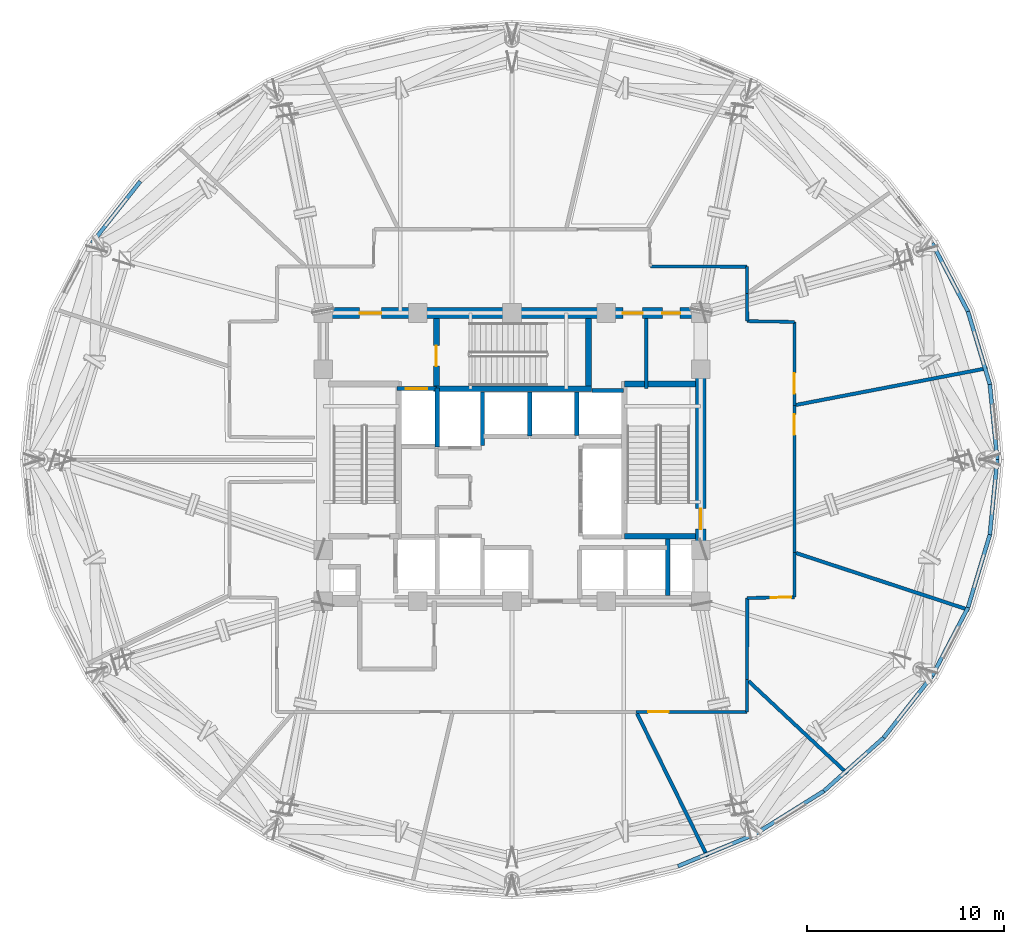
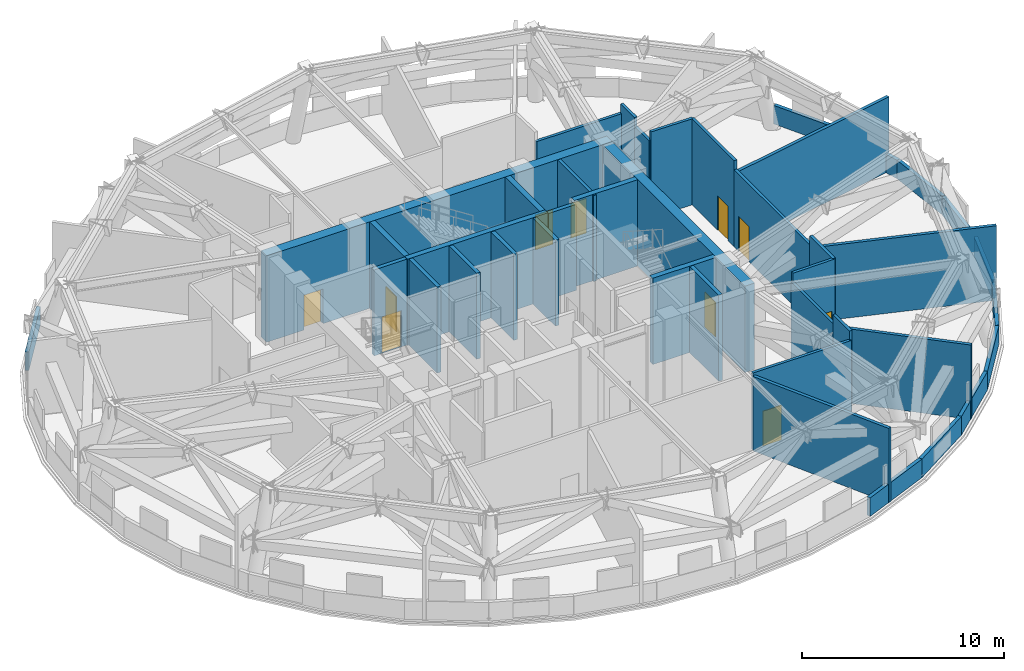
# One storey, part 8 of 13: 41 walls, 10 doors, 10 openings.
"""IFC4 building model written with IfcOpenShell, lengths in metres."""

from ifc_helpers import new_model, si_unit, direction, frame, frame_2d, origin, place, context, subcontext, project, spatial, rectangle, extrude, material, layer, layer_set, type_object, element, fill, save


model = new_model("IFC4")

# Units and contexts
model_context = context("Model", 3, precision=1e-05, world=origin(), true_north=direction((0.0, 1.0)))
body_context = subcontext(model_context, "Body", "Model", "MODEL_VIEW")
ifc_project = project(units=[si_unit("LENGTHUNIT", "METRE"), si_unit("AREAUNIT", "SQUARE_METRE"), si_unit("VOLUMEUNIT", "CUBIC_METRE"), si_unit("PLANEANGLEUNIT", "RADIAN"), si_unit("MASSUNIT", "GRAM", prefix="KILO")], contexts=[model_context])

# Site, building, storey
site_placement = place(None, origin())
site = spatial("IfcSite", under=ifc_project, at=site_placement, CompositionType="ELEMENT")
building_placement = place(site_placement, origin())
building = spatial("IfcBuilding", under=site, at=building_placement, Name="Vantalir Tower", CompositionType="ELEMENT")
storey_placement = place(building_placement, frame((0.0, 0.0, 175.949951171875)))
storey = spatial("IfcBuildingStorey", under=building, at=storey_placement, Name="L44", CompositionType="ELEMENT", Elevation=175.949951171875)

# Wall, openings, doors
ifc_material_1 = material(Name="Concrete C60/75", Category="concrete")
ifc_layer_1 = layer(ifc_material_1, 0.550048828125)
ifc_layer_set_1 = layer_set([ifc_layer_1], Name="Concrete C60/75")
wall_type_1 = type_object("IfcWallType", Name="WL-CORE-550", PredefinedType="SHEAR", material=ifc_layer_set_1)
wall_1_placement = place(storey_placement, frame((21.625, 32.449951171875, 0.0), z_axis=(0.0, 0.0, 1.0), x_axis=(1.0, 0.0, 0.0)))
wall_1 = element("IfcWall", 1, at=wall_1_placement, inside=storey, type_object=wall_type_1, Name="L44 Core Shear Wall North", PredefinedType="SHEAR", context=body_context, shape_type="SweptSolid", body=[
    extrude(rectangle(XDim=19.75, YDim=0.550048828125, at=frame_2d((9.875, 0.0))), origin(), (0.0, 0.0, 1.0), 5.219970703125),
])
opening_1_placement = place(wall_1_placement, frame((2.125, 0.0, 0.0)))
opening_1 = element("IfcOpeningElement", 2, at=opening_1_placement, cuts=wall_1, Name="Opening D-FFL", PredefinedType="OPENING", context=body_context, shape_type="SweptSolid", body=[
    extrude(rectangle(XDim=1.10009765625, YDim=2.10009765625, at=frame_2d((0.550048828125, 1.050048828125))), frame((0.0, 0.284912109375, 0.0), z_axis=(0.0, -1.0, 0.0), x_axis=(1.0, 0.0, 0.0)), (0.0, 0.0, 1.0), 0.570068359375),
])
opening_2_placement = place(wall_1_placement, frame((15.514892578125, 0.0, 0.0)))
opening_2 = element("IfcOpeningElement", 3, at=opening_2_placement, cuts=wall_1, Name="Opening D-GUEST", PredefinedType="OPENING", context=body_context, shape_type="SweptSolid", body=[
    extrude(rectangle(XDim=1.0, YDim=2.10009765625, at=frame_2d((0.5, 1.050048828125))), frame((0.0, 0.284912109375, 0.0), z_axis=(0.0, -1.0, 0.0), x_axis=(1.0, 0.0, 0.0)), (0.0, 0.0, 1.0), 0.570068359375),
])
opening_3_placement = place(wall_1_placement, frame((17.52490234375, 0.0, 0.0)))
opening_3 = element("IfcOpeningElement", 4, at=opening_3_placement, cuts=wall_1, Name="Opening D-CR", PredefinedType="OPENING", context=body_context, shape_type="SweptSolid", body=[
    extrude(rectangle(XDim=0.89990234375, YDim=2.10009765625, at=frame_2d((0.449951171875, 1.050048828125))), frame((0.0, 0.284912109375, 0.0), z_axis=(0.0, -1.0, 0.0), x_axis=(1.0, 0.0, 0.0)), (0.0, 0.0, 1.0), 0.570068359375),
])
ifc_material_2 = material(Name="Fire-rated steel core service door", Category="steel")
door_type_1 = type_object("IfcDoorType", Name="DR-CORE-SERV-900", OperationType="NOTDEFINED", PredefinedType="DOOR", material=ifc_material_2)
door_1_placement = place(opening_3_placement, frame((0.89990234375, 0.0, 0.0), z_axis=(0.0, 0.0, 1.0), x_axis=(-1.0, 0.0, 0.0)))
door_1 = element("IfcDoor", 5, at=door_1_placement, inside=storey, type_object=door_type_1, Name="L44 Housekeeping and Linen Room Door", OperationType="SINGLE_SWING_RIGHT", OverallHeight=2.10009765625, OverallWidth=0.89990234375, PredefinedType="DOOR", context=body_context, shape_type="SweptSolid", body=[
    extrude(rectangle(XDim=0.89990234375, YDim=2.10009765625, at=frame_2d((0.449951171875, 1.050048828125))), frame((0.0, 0.02490234375, 0.0), z_axis=(0.0, -1.0, 0.0), x_axis=(1.0, 0.0, 0.0)), (0.0, 0.0, 1.0), 0.050048828125),
])
fill(opening_3, door_1)
ifc_material_3 = material(Name="Fire-rated acoustic steel door", Category="steel")
door_type_2 = type_object("IfcDoorType", Name="DR-FIRE-LOBBY-1100", OperationType="NOTDEFINED", PredefinedType="DOOR", material=ifc_material_3)
door_2_placement = place(opening_1_placement, frame((1.10009765625, 0.0, 0.0), z_axis=(0.0, 0.0, 1.0), x_axis=(-1.0, 0.0, 0.0)))
door_2 = element("IfcDoor", 6, at=door_2_placement, inside=storey, type_object=door_type_2, Name="L44 Firefighting Lobby East Access Door", OperationType="SINGLE_SWING_RIGHT", OverallHeight=2.10009765625, OverallWidth=1.10009765625, PredefinedType="DOOR", context=body_context, shape_type="SweptSolid", body=[
    extrude(rectangle(XDim=1.10009765625, YDim=2.10009765625, at=frame_2d((0.550048828125, 1.050048828125))), frame((0.0, 0.02490234375, 0.0), z_axis=(0.0, -1.0, 0.0), x_axis=(1.0, 0.0, 0.0)), (0.0, 0.0, 1.0), 0.050048828125),
])
fill(opening_1, door_2)
ifc_material_4 = material(Name="Solid-core teak veneer acoustic fire door", Category="wood")
door_type_3 = type_object("IfcDoorType", Name="DR-GUEST-ENTRY-1000", OperationType="NOTDEFINED", PredefinedType="DOOR", material=ifc_material_4)
door_3_placement = place(opening_2_placement, frame((1.0, 0.0, 0.0), z_axis=(0.0, 0.0, 1.0), x_axis=(-1.0, 0.0, 0.0)))
door_3 = element("IfcDoor", 7, at=door_3_placement, inside=storey, type_object=door_type_3, Name="L44 High-Rise Lift Lobby Door", OperationType="SINGLE_SWING_LEFT", OverallHeight=2.10009765625, OverallWidth=1.0, PredefinedType="DOOR", context=body_context, shape_type="SweptSolid", body=[
    extrude(rectangle(XDim=1.0, YDim=2.10009765625, at=frame_2d((0.5, 1.050048828125))), frame((0.0, 0.02490234375, 0.0), z_axis=(0.0, -1.0, 0.0), x_axis=(1.0, 0.0, 0.0)), (0.0, 0.0, 1.0), 0.050048828125),
])
fill(opening_2, door_3)

# Wall, opening, door
wall_2_placement = place(storey_placement, frame((41.10009765625, 18.074951171875, 0.0), z_axis=(0.0, 0.0, 1.0), x_axis=(0.0, 1.0, 0.0)))
wall_2 = element("IfcWall", 8, at=wall_2_placement, inside=storey, type_object=wall_type_1, Name="L44 Core Shear Wall East", PredefinedType="SHEAR", context=body_context, shape_type="SweptSolid", body=[
    extrude(rectangle(XDim=14.10009765625, YDim=0.550048828125, at=frame_2d((7.050048828125, 0.0))), origin(), (0.0, 0.0, 1.0), 5.219970703125),
])
opening_4_placement = place(wall_2_placement, frame((3.385009765625, 0.0, 0.0)))
opening_4 = element("IfcOpeningElement", 9, at=opening_4_placement, cuts=wall_2, Name="Opening D-ST", PredefinedType="OPENING", context=body_context, shape_type="SweptSolid", body=[
    extrude(rectangle(XDim=1.050048828125, YDim=2.10009765625, at=frame_2d((0.52490234375, 1.050048828125))), frame((0.0, 0.284912109375, 0.0), z_axis=(0.0, -1.0, 0.0), x_axis=(1.0, 0.0, 0.0)), (0.0, 0.0, 1.0), 0.570068359375),
])
ifc_material_5 = material(Name="Fire-rated steel door leaf", Category="steel")
door_type_4 = type_object("IfcDoorType", Name="DR-FIRE-STAIR-1050", OperationType="NOTDEFINED", PredefinedType="DOOR", material=ifc_material_5)
door_4_placement = place(opening_4_placement, origin())
door_4 = element("IfcDoor", 10, at=door_4_placement, inside=storey, type_object=door_type_4, Name="L44 Exit Stair ST2 Fire Door", OperationType="SINGLE_SWING_LEFT", OverallHeight=2.10009765625, OverallWidth=1.050048828125, PredefinedType="DOOR", context=body_context, shape_type="SweptSolid", body=[
    extrude(rectangle(XDim=1.050048828125, YDim=2.10009765625, at=frame_2d((0.52490234375, 1.050048828125))), frame((0.0, 0.02490234375, 0.0), z_axis=(0.0, -1.0, 0.0), x_axis=(1.0, 0.0, 0.0)), (0.0, 0.0, 1.0), 0.050048828125),
])
fill(opening_4, door_4)

# Walls
ifc_material_6 = material(Name="Fire-rated hotel corridor acoustic partition", Category="gypsum")
ifc_layer_2 = layer(ifc_material_6, 0.159912109375)
ifc_layer_set_2 = layer_set([ifc_layer_2], Name="Fire-rated hotel corridor acoustic partition")
wall_type_2 = type_object("IfcWallType", Name="WL-CORR-160", PredefinedType="PARTITIONING", material=ifc_layer_set_2)
wall_3_placement = place(storey_placement, frame((38.5400390625, 34.81494140625, 0.0), z_axis=(0.0, 0.0, 1.0), x_axis=(0.999999029632, -0.001393102783, 0.0)))
element("IfcWall", 11, at=wall_3_placement, inside=storey, type_object=wall_type_2, Name="L44 Corridor Partition 13", PredefinedType="PARTITIONING", context=body_context, shape_type="SweptSolid", body=[
    extrude(rectangle(XDim=4.906982421875, YDim=0.159912109375, at=frame_2d((2.45361328125, 0.0))), origin(), (0.0, 0.0, 1.0), 4.656005859375),
])
wall_4_placement = place(storey_placement, frame((43.447021484375, 34.80810546875, 0.0), z_axis=(0.0, 0.0, 1.0), x_axis=(0.006636625141, -0.999977977361, 0.0)))
element("IfcWall", 12, at=wall_4_placement, inside=storey, type_object=wall_type_2, Name="L44 Corridor Partition 14", PredefinedType="PARTITIONING", context=body_context, shape_type="SweptSolid", body=[
    extrude(rectangle(XDim=1.361083984375, YDim=0.159912109375, at=frame_2d((0.6806640625, 0.0))), origin(), (0.0, 0.0, 1.0), 5.199951171875),
])
wall_5_placement = place(storey_placement, frame((43.4560546875, 33.447021484375, 0.0), z_axis=(0.0, 0.0, 1.0), x_axis=(0.006420134905, -0.999979390722, 0.0)))
element("IfcWall", 13, at=wall_5_placement, inside=storey, type_object=wall_type_2, Name="L44 Corridor Partition 15", PredefinedType="PARTITIONING", context=body_context, shape_type="SweptSolid", body=[
    extrude(rectangle(XDim=1.406982421875, YDim=0.159912109375, at=frame_2d((0.70361328125, 0.0))), origin(), (0.0, 0.0, 1.0), 4.656005859375),
])
wall_6_placement = place(storey_placement, frame((43.465087890625, 32.0400390625, 0.0), z_axis=(0.0, 0.0, 1.0), x_axis=(0.999860857432, -0.016681300165, 0.0)))
element("IfcWall", 14, at=wall_6_placement, inside=storey, type_object=wall_type_2, Name="L44 Corridor Partition 16", PredefinedType="PARTITIONING", context=body_context, shape_type="SweptSolid", body=[
    extrude(rectangle(XDim=2.400146484375, YDim=0.159912109375, at=frame_2d((1.2001953125, 0.0))), origin(), (0.0, 0.0, 1.0), 5.199951171875),
])

# Wall, opening, door
wall_7_placement = place(storey_placement, frame((45.864990234375, 32.0, 0.0), z_axis=(0.0, 0.0, 1.0), x_axis=(0.0, -1.0, 0.0)))
wall_7 = element("IfcWall", 15, at=wall_7_placement, inside=storey, type_object=wall_type_2, Name="L44 Corridor Partition 17", PredefinedType="PARTITIONING", context=body_context, shape_type="SweptSolid", body=[
    extrude(rectangle(XDim=4.239013671875, YDim=0.159912109375, at=frame_2d((2.11962890625, 0.0))), origin(), (0.0, 0.0, 1.0), 5.199951171875),
])
opening_5_placement = place(wall_7_placement, frame((2.59912109375, 0.0, 0.0)))
opening_5 = element("IfcOpeningElement", 16, at=opening_5_placement, cuts=wall_7, Name="Opening D-ST", PredefinedType="OPENING", context=body_context, shape_type="SweptSolid", body=[
    extrude(rectangle(XDim=1.050048828125, YDim=2.10009765625, at=frame_2d((0.52490234375, 1.050048828125))), frame((0.0, 0.08984375, 0.0), z_axis=(0.0, -1.0, 0.0), x_axis=(1.0, 0.0, 0.0)), (0.0, 0.0, 1.0), 0.179931640625),
])
door_5_placement = place(opening_5_placement, origin())
door_5 = element("IfcDoor", 17, at=door_5_placement, inside=storey, type_object=door_type_4, Name="L44 Primary Chiller Mechanical Plant Room Door", OperationType="SINGLE_SWING_RIGHT", OverallHeight=2.10009765625, OverallWidth=1.050048828125, PredefinedType="DOOR", context=body_context, shape_type="SweptSolid", body=[
    extrude(rectangle(XDim=1.050048828125, YDim=2.10009765625, at=frame_2d((0.52490234375, 1.050048828125))), frame((0.0, 0.02490234375, 0.0), z_axis=(0.0, -1.0, 0.0), x_axis=(1.0, 0.0, 0.0)), (0.0, 0.0, 1.0), 0.050048828125),
])
fill(opening_5, door_5)

wall_8_placement = place(storey_placement, frame((45.864990234375, 27.760986328125, 0.0), z_axis=(0.0, 0.0, 1.0), x_axis=(0.0, -1.0, 0.0)))
wall_8 = element("IfcWall", 18, at=wall_8_placement, inside=storey, type_object=wall_type_2, Name="L44 Corridor Partition 18", PredefinedType="PARTITIONING", context=body_context, shape_type="SweptSolid", body=[
    extrude(rectangle(XDim=7.489990234375, YDim=0.159912109375, at=frame_2d((3.7451171875, 0.0))), origin(), (0.0, 0.0, 1.0), 4.656005859375),
])
opening_6_placement = place(wall_8_placement, frame((0.458984375, 0.0, 0.0)))
opening_6 = element("IfcOpeningElement", 19, at=opening_6_placement, cuts=wall_8, Name="Opening D-ST", PredefinedType="OPENING", context=body_context, shape_type="SweptSolid", body=[
    extrude(rectangle(XDim=1.050048828125, YDim=2.10009765625, at=frame_2d((0.52490234375, 1.050048828125))), frame((0.0, 0.08984375, 0.0), z_axis=(0.0, -1.0, 0.0), x_axis=(1.0, 0.0, 0.0)), (0.0, 0.0, 1.0), 0.179931640625),
])
door_6_placement = place(opening_6_placement, origin())
door_6 = element("IfcDoor", 20, at=door_6_placement, inside=storey, type_object=door_type_4, Name="L44 BMS Control Mechanical Plant Room Door", OperationType="SINGLE_SWING_LEFT", OverallHeight=2.10009765625, OverallWidth=1.050048828125, PredefinedType="DOOR", context=body_context, shape_type="SweptSolid", body=[
    extrude(rectangle(XDim=1.050048828125, YDim=2.10009765625, at=frame_2d((0.52490234375, 1.050048828125))), frame((0.0, 0.02490234375, 0.0), z_axis=(0.0, -1.0, 0.0), x_axis=(1.0, 0.0, 0.0)), (0.0, 0.0, 1.0), 0.050048828125),
])
fill(opening_6, door_6)

# Wall
wall_9_placement = place(storey_placement, frame((45.864990234375, 20.27099609375, 0.0), z_axis=(0.0, 0.0, 1.0), x_axis=(0.0, -1.0, 0.0)))
element("IfcWall", 21, at=wall_9_placement, inside=storey, type_object=wall_type_2, Name="L44 Corridor Partition 19", PredefinedType="PARTITIONING", context=body_context, shape_type="SweptSolid", body=[
    extrude(rectangle(XDim=2.27490234375, YDim=0.159912109375, at=frame_2d((1.137451171875, 0.0))), origin(), (0.0, 0.0, 1.0), 5.199951171875),
])

# Wall, opening, door
wall_10_placement = place(storey_placement, frame((45.864990234375, 17.99609375, 0.0), z_axis=(0.0, 0.0, 1.0), x_axis=(-0.999886678433, -0.015054245006, 0.0)))
wall_10 = element("IfcWall", 22, at=wall_10_placement, inside=storey, type_object=wall_type_2, Name="L44 Corridor Partition 20", PredefinedType="PARTITIONING", context=body_context, shape_type="SweptSolid", body=[
    extrude(rectangle(XDim=2.400146484375, YDim=0.159912109375, at=frame_2d((1.2001953125, 0.0))), origin(), (0.0, 0.0, 1.0), 5.199951171875),
])
opening_7_placement = place(wall_10_placement, frame((0.159912109375, 0.0, 0.0)))
opening_7 = element("IfcOpeningElement", 23, at=opening_7_placement, cuts=wall_10, Name="Opening D-ST", PredefinedType="OPENING", context=body_context, shape_type="SweptSolid", body=[
    extrude(rectangle(XDim=1.050048828125, YDim=2.10009765625, at=frame_2d((0.52490234375, 1.050048828125))), frame((0.0, 0.08984375, 0.0), z_axis=(0.0, -1.0, 0.0), x_axis=(1.0, 0.0, 0.0)), (0.0, 0.0, 1.0), 0.179931640625),
])
door_7_placement = place(opening_7_placement, origin())
door_7 = element("IfcDoor", 24, at=door_7_placement, inside=storey, type_object=door_type_4, Name="L44 Stair Pressurisation Fan Plant Room Door", OperationType="SINGLE_SWING_RIGHT", OverallHeight=2.10009765625, OverallWidth=1.050048828125, PredefinedType="DOOR", context=body_context, shape_type="SweptSolid", body=[
    extrude(rectangle(XDim=1.050048828125, YDim=2.10009765625, at=frame_2d((0.52490234375, 1.050048828125))), frame((0.0, 0.02490234375, 0.0), z_axis=(0.0, -1.0, 0.0), x_axis=(1.0, 0.0, 0.0)), (0.0, 0.0, 1.0), 0.050048828125),
])
fill(opening_7, door_7)

# Walls
wall_11_placement = place(storey_placement, frame((43.465087890625, 17.9599609375, 0.0), z_axis=(0.0, 0.0, 1.0), x_axis=(-0.001232465758, -0.999999240514, 0.0)))
element("IfcWall", 25, at=wall_11_placement, inside=storey, type_object=wall_type_2, Name="L44 Corridor Partition 21", PredefinedType="PARTITIONING", context=body_context, shape_type="SweptSolid", body=[
    extrude(rectangle(XDim=4.159912109375, YDim=0.159912109375, at=frame_2d((2.080078125, 0.0))), origin(), (0.0, 0.0, 1.0), 4.656005859375),
])
wall_12_placement = place(storey_placement, frame((43.4599609375, 13.800048828125, 0.0), z_axis=(0.0, 0.0, 1.0), x_axis=(-0.001196708193, -0.999999283944, 0.0)))
element("IfcWall", 26, at=wall_12_placement, inside=storey, type_object=wall_type_2, Name="L44 Corridor Partition 22", PredefinedType="PARTITIONING", context=body_context, shape_type="SweptSolid", body=[
    extrude(rectangle(XDim=1.632080078125, YDim=0.159912109375, at=frame_2d((0.81591796875, 0.0))), origin(), (0.0, 0.0, 1.0), 5.199951171875),
])

# Wall, opening, door
wall_13_placement = place(storey_placement, frame((43.4580078125, 12.16796875, 0.0), z_axis=(0.0, 0.0, 1.0), x_axis=(-0.999999865035, -0.000519547923, 0.0)))
wall_13 = element("IfcWall", 27, at=wall_13_placement, inside=storey, type_object=wall_type_2, Name="L44 Corridor Partition 23", PredefinedType="PARTITIONING", context=body_context, shape_type="SweptSolid", body=[
    extrude(rectangle(XDim=5.638916015625, YDim=0.159912109375, at=frame_2d((2.8193359375, 0.0))), origin(), (0.0, 0.0, 1.0), 4.656005859375),
])
opening_8_placement = place(wall_13_placement, frame((3.987060546875, 0.0, 0.0)))
opening_8 = element("IfcOpeningElement", 28, at=opening_8_placement, cuts=wall_13, Name="Opening D-ST", PredefinedType="OPENING", context=body_context, shape_type="SweptSolid", body=[
    extrude(rectangle(XDim=1.050048828125, YDim=2.10009765625, at=frame_2d((0.52490234375, 1.050048828125))), frame((0.0, 0.08984375, 0.0), z_axis=(0.0, -1.0, 0.0), x_axis=(1.0, 0.0, 0.0)), (0.0, 0.0, 1.0), 0.179931640625),
])
door_8_placement = place(opening_8_placement, origin())
door_8 = element("IfcDoor", 29, at=door_8_placement, inside=storey, type_object=door_type_4, Name="L44 Smoke Extract Fan Plant Room Door", OperationType="SINGLE_SWING_LEFT", OverallHeight=2.10009765625, OverallWidth=1.050048828125, PredefinedType="DOOR", context=body_context, shape_type="SweptSolid", body=[
    extrude(rectangle(XDim=1.050048828125, YDim=2.10009765625, at=frame_2d((0.52490234375, 1.050048828125))), frame((0.0, 0.02490234375, 0.0), z_axis=(0.0, -1.0, 0.0), x_axis=(1.0, 0.0, 0.0)), (0.0, 0.0, 1.0), 0.050048828125),
])
fill(opening_8, door_8)

# Walls
ifc_material_7 = material(Name="Concrete blockwork with fireboard lining", Category="masonry")
ifc_layer_3 = layer(ifc_material_7, 0.219970703125)
ifc_layer_set_3 = layer_set([ifc_layer_3], Name="Concrete blockwork with fireboard lining")
wall_type_3 = type_object("IfcWallType", Name="WL-FFL-220", PredefinedType="PARTITIONING", material=ifc_layer_set_3)
wall_14_placement = place(storey_placement, frame((30.0, 25.7099609375, 0.0), z_axis=(0.0, 0.0, 1.0), x_axis=(0.0, 1.0, 0.0)))
element("IfcWall", 30, at=wall_14_placement, inside=storey, type_object=wall_type_3, Name="L44 Service Lift SV2 East Shaft Wall", PredefinedType="PARTITIONING", context=body_context, shape_type="SweptSolid", body=[
    extrude(rectangle(XDim=2.72998046875, YDim=0.219970703125, at=frame_2d((1.364990234375, 0.0))), origin(), (0.0, 0.0, 1.0), 5.195068359375),
])
wall_15_placement = place(storey_placement, frame((32.39990234375, 26.199951171875, 0.0), z_axis=(0.0, 0.0, 1.0), x_axis=(0.0, 1.0, 0.0)))
element("IfcWall", 31, at=wall_15_placement, inside=storey, type_object=wall_type_3, Name="L44 High-Rise Lift PL-H1/H2 Shaft Divider", PredefinedType="PARTITIONING", context=body_context, shape_type="SweptSolid", body=[
    extrude(rectangle(XDim=2.239990234375, YDim=0.219970703125, at=frame_2d((1.1201171875, 0.0))), origin(), (0.0, 0.0, 1.0), 5.195068359375),
])
wall_16_placement = place(storey_placement, frame((34.800048828125, 26.22998046875, 0.0), z_axis=(0.0, 0.0, 1.0), x_axis=(0.0, 1.0, 0.0)))
element("IfcWall", 32, at=wall_16_placement, inside=storey, type_object=wall_type_3, Name="L44 High-Rise Lift PL-H2/H3 Shaft Divider", PredefinedType="PARTITIONING", context=body_context, shape_type="SweptSolid", body=[
    extrude(rectangle(XDim=2.2099609375, YDim=0.219970703125, at=frame_2d((1.10498046875, 0.0))), origin(), (0.0, 0.0, 1.0), 5.195068359375),
])
wall_17_placement = place(storey_placement, frame((39.419921875, 18.074951171875, 0.0), z_axis=(0.0, 0.0, 1.0), x_axis=(0.0, 1.0, 0.0)))
element("IfcWall", 33, at=wall_17_placement, inside=storey, type_object=wall_type_3, Name="L44 East MEP Riser Wall W", PredefinedType="PARTITIONING", context=body_context, shape_type="SweptSolid", body=[
    extrude(rectangle(XDim=2.875, YDim=0.219970703125, at=frame_2d((1.4375, 0.0))), origin(), (0.0, 0.0, 1.0), 5.199951171875),
])

# Wall, opening, door
wall_18_placement = place(storey_placement, frame((25.639892578125, 28.610107421875, 0.0), z_axis=(0.0, 0.0, 1.0), x_axis=(1.0, 0.0, 0.0)))
wall_18 = element("IfcWall", 34, at=wall_18_placement, inside=storey, type_object=wall_type_3, Name="L44 Lift FL2 Shaft Front Wall", PredefinedType="PARTITIONING", context=body_context, shape_type="SweptSolid", body=[
    extrude(rectangle(XDim=2.02001953125, YDim=0.219970703125, at=frame_2d((1.010009765625, 0.0))), origin(), (0.0, 0.0, 1.0), 5.199951171875),
])
opening_9_placement = place(wall_18_placement, frame((0.4599609375, 0.0, 0.0)))
opening_9 = element("IfcOpeningElement", 35, at=opening_9_placement, cuts=wall_18, Name="Opening LD-FL2", PredefinedType="OPENING", context=body_context, shape_type="SweptSolid", body=[
    extrude(rectangle(XDim=1.10009765625, YDim=2.199951171875, at=frame_2d((0.550048828125, 1.10009765625))), frame((0.0, 0.119873046875, 0.0), z_axis=(0.0, -1.0, 0.0), x_axis=(1.0, 0.0, 0.0)), (0.0, 0.0, 1.0), 0.239990234375),
])
ifc_material_8 = material(Name="Brushed stainless-steel sliding lift landing door", Category="steel")
door_type_5 = type_object("IfcDoorType", Name="DR-LIFT-LANDING-1100", OperationType="DOUBLE_DOOR_SLIDING", PredefinedType="DOOR", material=ifc_material_8)
door_9_placement = place(opening_9_placement, origin())
door_9 = element("IfcDoor", 36, at=door_9_placement, inside=storey, type_object=door_type_5, Name="L44 Lift Landing Door FL2", OperationType="DOUBLE_DOOR_SLIDING", OverallHeight=2.199951171875, OverallWidth=1.10009765625, PredefinedType="DOOR", context=body_context, shape_type="SweptSolid", body=[
    extrude(rectangle(XDim=1.10009765625, YDim=2.199951171875, at=frame_2d((0.550048828125, 1.10009765625))), frame((0.0, 0.02490234375, 0.0), z_axis=(0.0, -1.0, 0.0), x_axis=(1.0, 0.0, 0.0)), (0.0, 0.0, 1.0), 0.050048828125),
])
fill(opening_9, door_9)

# Walls
wall_19_placement = place(storey_placement, frame((35.56005859375, 28.510009765625, 0.0), z_axis=(0.0, 0.0, 1.0), x_axis=(1.0, 0.0, 0.0)))
element("IfcWall", 37, at=wall_19_placement, inside=storey, type_object=wall_type_3, Name="L44 Lift PL-H3 Shaft Front Wall", PredefinedType="PARTITIONING", context=body_context, shape_type="SweptSolid", body=[
    extrude(rectangle(XDim=1.599853515625, YDim=0.219970703125, at=frame_2d((0.7998046875, 0.0))), origin(), (0.0, 0.0, 1.0), 5.199951171875),
])
wall_20_placement = place(storey_placement, frame((27.699951171875, 25.64990234375, 0.0), z_axis=(0.0, 0.0, 1.0), x_axis=(0.0, 1.0, 0.0)))
element("IfcWall", 38, at=wall_20_placement, inside=storey, type_object=wall_type_3, Name="L44 Fire Lift FL2 Dividing Wall", PredefinedType="PARTITIONING", context=body_context, shape_type="SweptSolid", body=[
    extrude(rectangle(XDim=3.0, YDim=0.219970703125, at=frame_2d((1.5, 0.0))), origin(), (0.0, 0.0, 1.0), 5.199951171875),
])
ifc_material_9 = material(Name="Twin-stud acoustic fire-rated gypsum partition", Category="gypsum")
ifc_layer_4 = layer(ifc_material_9, 0.179931640625)
ifc_layer_set_4 = layer_set([ifc_layer_4], Name="Twin-stud acoustic fire-rated gypsum partition")
wall_type_4 = type_object("IfcWallType", Name="WL-GUEST-180", PredefinedType="PARTITIONING", material=ifc_layer_set_4)
wall_21_placement = place(storey_placement, frame((38.340087890625, 28.6201171875, 0.0), z_axis=(0.0, 0.0, 1.0), x_axis=(0.0, 1.0, 0.0)))
element("IfcWall", 39, at=wall_21_placement, inside=storey, type_object=wall_type_4, Name="L44 High-Rise Lift Lobby East Wall", PredefinedType="PARTITIONING", context=body_context, shape_type="SweptSolid", body=[
    extrude(rectangle(XDim=3.554931640625, YDim=0.179931640625, at=frame_2d((1.77734375, 0.0))), origin(), (0.0, 0.0, 1.0), 5.199951171875),
])
wall_22_placement = place(storey_placement, frame((45.93994140625, 27.77587890625, 0.0), z_axis=(0.0, 0.0, 1.0), x_axis=(0.982028735672, 0.188731455554, 0.0)))
element("IfcWall", 40, at=wall_22_placement, inside=storey, type_object=wall_type_4, Name="L44 Radial Suite Partition 01", PredefinedType="PARTITIONING", context=body_context, shape_type="SweptSolid", body=[
    extrude(rectangle(XDim=9.919189453125, YDim=0.179931640625, at=frame_2d((4.95947265625, 0.0))), origin(), (0.0, 0.0, 1.0), 4.5029296875),
])
wall_23_placement = place(storey_placement, frame((37.863037109375, 12.074951171875, 0.0), z_axis=(0.0, 0.0, 1.0), x_axis=(0.44171799954, -0.897153949377, 0.0)))
element("IfcWall", 41, at=wall_23_placement, inside=storey, type_object=wall_type_4, Name="L44 Radial Suite Partition 12", PredefinedType="PARTITIONING", context=body_context, shape_type="SweptSolid", body=[
    extrude(rectangle(XDim=8.09765625, YDim=0.179931640625, at=frame_2d((4.048828125, 0.0))), origin(), (0.0, 0.0, 1.0), 4.5029296875),
])
wall_24_placement = place(storey_placement, frame((43.5400390625, 13.72509765625, 0.0), z_axis=(0.0, 0.0, 1.0), x_axis=(0.729891075852, -0.683563469907, 0.0)))
element("IfcWall", 42, at=wall_24_placement, inside=storey, type_object=wall_type_4, Name="L44 Radial Suite Partition 13", PredefinedType="PARTITIONING", context=body_context, shape_type="SweptSolid", body=[
    extrude(rectangle(XDim=6.861328125, YDim=0.179931640625, at=frame_2d((3.4306640625, 0.0))), origin(), (0.0, 0.0, 1.0), 4.5029296875),
])
wall_25_placement = place(storey_placement, frame((45.93994140625, 20.2470703125, 0.0), z_axis=(0.0, 0.0, 1.0), x_axis=(0.949849653905, -0.31270694744, 0.0)))
element("IfcWall", 43, at=wall_25_placement, inside=storey, type_object=wall_type_4, Name="L44 Radial Suite Partition 14", PredefinedType="PARTITIONING", context=body_context, shape_type="SweptSolid", body=[
    extrude(rectangle(XDim=9.28369140625, YDim=0.179931640625, at=frame_2d((4.641845703125, 0.0))), origin(), (0.0, 0.0, 1.0), 4.5029296875),
])
ifc_material_10 = material(Name="Concrete C40/50 parapet upstand", Category="concrete")
ifc_layer_5 = layer(ifc_material_10, 0.199951171875)
ifc_layer_set_5 = layer_set([ifc_layer_5], Name="Concrete C40/50 parapet upstand")
wall_type_5 = type_object("IfcWallType", Name="WL-PARA-200", PredefinedType="PARAPET", material=ifc_layer_set_5)
wall_26_placement = place(storey_placement, frame((56.179931640625, 25.0, 0.0), z_axis=(0.0, 0.0, 1.0), x_axis=(-0.097646737075, 0.995221138611, 0.0)))
element("IfcWall", 44, at=wall_26_placement, inside=storey, type_object=wall_type_5, Name="L44 Refuge Perimeter Parapet R01", PredefinedType="PARAPET", context=body_context, shape_type="SweptSolid", body=[
    extrude(rectangle(XDim=3.84033203125, YDim=0.199951171875, at=frame_2d((1.920166015625, 0.0))), origin(), (0.0, 0.0, 1.0), 1.1201171875),
])
wall_27_placement = place(storey_placement, frame((55.804931640625, 28.822021484375, 0.0), z_axis=(0.0, 0.0, 1.0), x_axis=(-0.28756777926, 0.957760289598, 0.0)))
element("IfcWall", 45, at=wall_27_placement, inside=storey, type_object=wall_type_5, Name="L44 Refuge Perimeter Parapet R02", PredefinedType="PARAPET", context=body_context, shape_type="SweptSolid", body=[
    extrude(rectangle(XDim=3.87060546875, YDim=0.199951171875, at=frame_2d((1.935302734375, 0.0))), origin(), (0.0, 0.0, 1.0), 1.1201171875),
])
wall_28_placement = place(storey_placement, frame((54.69189453125, 32.529052734375, 0.0), z_axis=(0.0, 0.0, 1.0), x_axis=(-0.463318628084, 0.886191767549, 0.0)))
element("IfcWall", 46, at=wall_28_placement, inside=storey, type_object=wall_type_5, Name="L44 Refuge Perimeter Parapet R03", PredefinedType="PARAPET", context=body_context, shape_type="SweptSolid", body=[
    extrude(rectangle(XDim=3.923583984375, YDim=0.199951171875, at=frame_2d((1.9619140625, 0.0))), origin(), (0.0, 0.0, 1.0), 1.1201171875),
])
wall_29_placement = place(storey_placement, frame((12.593994140625, 39.14892578125, 0.0), z_axis=(0.0, 0.0, 1.0), x_axis=(-0.617613767336, -0.786481553755, 0.0)))
element("IfcWall", 47, at=wall_29_placement, inside=storey, type_object=wall_type_5, Name="L44 Refuge Perimeter Parapet R15", PredefinedType="PARAPET", context=body_context, shape_type="SweptSolid", body=[
    extrude(rectangle(XDim=3.99609375, YDim=0.199951171875, at=frame_2d((1.998046875, 0.0))), origin(), (0.0, 0.0, 1.0), 1.1201171875),
])
wall_30_placement = place(storey_placement, frame((39.94091796875, 4.31494140625, 0.0), z_axis=(0.0, 0.0, 1.0), x_axis=(0.92329399342, 0.384094001145, 0.0)))
element("IfcWall", 48, at=wall_30_placement, inside=storey, type_object=wall_type_5, Name="L44 Refuge Perimeter Parapet R30", PredefinedType="PARAPET", context=body_context, shape_type="SweptSolid", body=[
    extrude(rectangle(XDim=4.22314453125, YDim=0.199951171875, at=frame_2d((2.111572265625, 0.0))), origin(), (0.0, 0.0, 1.0), 1.1201171875),
])
wall_31_placement = place(storey_placement, frame((43.840087890625, 5.93701171875, 0.0), z_axis=(0.0, 0.0, 1.0), x_axis=(0.848163323241, 0.529734817723, 0.0)))
element("IfcWall", 49, at=wall_31_placement, inside=storey, type_object=wall_type_5, Name="L44 Refuge Perimeter Parapet R31", PredefinedType="PARAPET", context=body_context, shape_type="SweptSolid", body=[
    extrude(rectangle(XDim=4.15478515625, YDim=0.199951171875, at=frame_2d((2.077392578125, 0.0))), origin(), (0.0, 0.0, 1.0), 1.1201171875),
])
wall_32_placement = place(storey_placement, frame((47.364013671875, 8.137939453125, 0.0), z_axis=(0.0, 0.0, 1.0), x_axis=(0.746294630342, 0.665615748554, 0.0)))
element("IfcWall", 50, at=wall_32_placement, inside=storey, type_object=wall_type_5, Name="L44 Refuge Perimeter Parapet R32", PredefinedType="PARAPET", context=body_context, shape_type="SweptSolid", body=[
    extrude(rectangle(XDim=4.076171875, YDim=0.199951171875, at=frame_2d((2.0380859375, 0.0))), origin(), (0.0, 0.0, 1.0), 1.1201171875),
])
wall_33_placement = place(storey_placement, frame((50.406005859375, 10.85107421875, 0.0), z_axis=(0.0, 0.0, 1.0), x_axis=(0.617613767336, 0.786481553755, 0.0)))
element("IfcWall", 51, at=wall_33_placement, inside=storey, type_object=wall_type_5, Name="L44 Refuge Perimeter Parapet R33", PredefinedType="PARAPET", context=body_context, shape_type="SweptSolid", body=[
    extrude(rectangle(XDim=3.99609375, YDim=0.199951171875, at=frame_2d((1.998046875, 0.0))), origin(), (0.0, 0.0, 1.0), 1.1201171875),
])
wall_34_placement = place(storey_placement, frame((52.8740234375, 13.993896484375, 0.0), z_axis=(0.0, 0.0, 1.0), x_axis=(0.463318628084, 0.886191767549, 0.0)))
element("IfcWall", 52, at=wall_34_placement, inside=storey, type_object=wall_type_5, Name="L44 Refuge Perimeter Parapet R34", PredefinedType="PARAPET", context=body_context, shape_type="SweptSolid", body=[
    extrude(rectangle(XDim=3.923583984375, YDim=0.199951171875, at=frame_2d((1.9619140625, 0.0))), origin(), (0.0, 0.0, 1.0), 1.1201171875),
])
wall_35_placement = place(storey_placement, frame((54.69189453125, 17.470947265625, 0.0), z_axis=(0.0, 0.0, 1.0), x_axis=(0.28756777926, 0.957760289598, 0.0)))
element("IfcWall", 53, at=wall_35_placement, inside=storey, type_object=wall_type_5, Name="L44 Refuge Perimeter Parapet R35", PredefinedType="PARAPET", context=body_context, shape_type="SweptSolid", body=[
    extrude(rectangle(XDim=3.87060546875, YDim=0.199951171875, at=frame_2d((1.935302734375, 0.0))), origin(), (0.0, 0.0, 1.0), 1.1201171875),
])
wall_36_placement = place(storey_placement, frame((55.804931640625, 21.177978515625, 0.0), z_axis=(0.0, 0.0, 1.0), x_axis=(0.097646737075, 0.995221138611, 0.0)))
element("IfcWall", 54, at=wall_36_placement, inside=storey, type_object=wall_type_5, Name="L44 Refuge Perimeter Parapet R36", PredefinedType="PARAPET", context=body_context, shape_type="SweptSolid", body=[
    extrude(rectangle(XDim=3.84033203125, YDim=0.199951171875, at=frame_2d((1.920166015625, 0.0))), origin(), (0.0, 0.0, 1.0), 1.1201171875),
])
ifc_material_11 = material(Name="Concrete C50/60", Category="concrete")
ifc_layer_6 = layer(ifc_material_11, 0.300048828125)
ifc_layer_set_6 = layer_set([ifc_layer_6], Name="Concrete C50/60")
wall_type_6 = type_object("IfcWallType", Name="WL-STAIR-300", PredefinedType="SHEAR", material=ifc_layer_set_6)
for number, where, z_axis, x_axis, name in (
    (55, (37.2099609375, 21.10009765625, 0.0), (0.0, 0.0, 1.0), (1.0, 0.0, 0.0), "L44 Stair ST2 South Wall"),
    (56, (37.2099609375, 28.85009765625, 0.0), (0.0, 0.0, 1.0), (1.0, 0.0, 0.0), "L44 Stair ST2 North Wall"),
):
    element("IfcWall", number, at=place(storey_placement, frame(where, z_axis=z_axis, x_axis=x_axis)), inside=storey, type_object=wall_type_6, Name=name, PredefinedType="SHEAR", context=body_context, shape_type="SweptSolid", body=[
        extrude(rectangle(XDim=3.614990234375, YDim=0.300048828125, at=frame_2d((1.8076171875, 0.0))), origin(), (0.0, 0.0, 1.0), 5.219970703125),
    ])
wall_37_placement = place(storey_placement, frame((27.510009765625, 28.60009765625, 0.0), z_axis=(0.0, 0.0, 1.0), x_axis=(1.0, 0.0, 0.0)))
element("IfcWall", 57, at=wall_37_placement, inside=storey, type_object=wall_type_6, Name="L44 Stair ST3 South Wall", PredefinedType="SHEAR", context=body_context, shape_type="SweptSolid", body=[
    extrude(rectangle(XDim=8.030029296875, YDim=0.300048828125, at=frame_2d((4.01513671875, 0.0))), origin(), (0.0, 0.0, 1.0), 5.219970703125),
])

# Wall, opening, door
wall_38_placement = place(storey_placement, frame((27.64990234375, 28.75, 0.0), z_axis=(0.0, 0.0, 1.0), x_axis=(0.0, 1.0, 0.0)))
wall_38 = element("IfcWall", 58, at=wall_38_placement, inside=storey, type_object=wall_type_6, Name="L44 Stair ST3 West Wall", PredefinedType="SHEAR", context=body_context, shape_type="SweptSolid", body=[
    extrude(rectangle(XDim=3.425048828125, YDim=0.300048828125, at=frame_2d((1.71240234375, 0.0))), origin(), (0.0, 0.0, 1.0), 5.219970703125),
])
opening_10_placement = place(wall_38_placement, frame((1.0, 0.0, 0.0)))
opening_10 = element("IfcOpeningElement", 59, at=opening_10_placement, cuts=wall_38, Name="Opening D-ST", PredefinedType="OPENING", context=body_context, shape_type="SweptSolid", body=[
    extrude(rectangle(XDim=1.050048828125, YDim=2.10009765625, at=frame_2d((0.52490234375, 1.050048828125))), frame((0.0, 0.159912109375, 0.0), z_axis=(0.0, -1.0, 0.0), x_axis=(1.0, 0.0, 0.0)), (0.0, 0.0, 1.0), 0.320068359375),
])
door_10_placement = place(opening_10_placement, frame((1.050048828125, 0.0, 0.0), z_axis=(0.0, 0.0, 1.0), x_axis=(-1.0, 0.0, 0.0)))
door_10 = element("IfcDoor", 60, at=door_10_placement, inside=storey, type_object=door_type_4, Name="L44 Exit Stair ST3 Fire Door", OperationType="SINGLE_SWING_LEFT", OverallHeight=2.10009765625, OverallWidth=1.050048828125, PredefinedType="DOOR", context=body_context, shape_type="SweptSolid", body=[
    extrude(rectangle(XDim=1.050048828125, YDim=2.10009765625, at=frame_2d((0.52490234375, 1.050048828125))), frame((0.0, 0.02490234375, 0.0), z_axis=(0.0, -1.0, 0.0), x_axis=(1.0, 0.0, 0.0)), (0.0, 0.0, 1.0), 0.050048828125),
])
fill(opening_10, door_10)

# Wall
wall_39_placement = place(storey_placement, frame((35.39990234375, 28.75, 0.0), z_axis=(0.0, 0.0, 1.0), x_axis=(0.0, 1.0, 0.0)))
element("IfcWall", 61, at=wall_39_placement, inside=storey, type_object=wall_type_6, Name="L44 Stair ST3 East Wall", PredefinedType="SHEAR", context=body_context, shape_type="SweptSolid", body=[
    extrude(rectangle(XDim=3.425048828125, YDim=0.300048828125, at=frame_2d((1.71240234375, 0.0))), origin(), (0.0, 0.0, 1.0), 5.219970703125),
])

save(model, "model.ifc")
